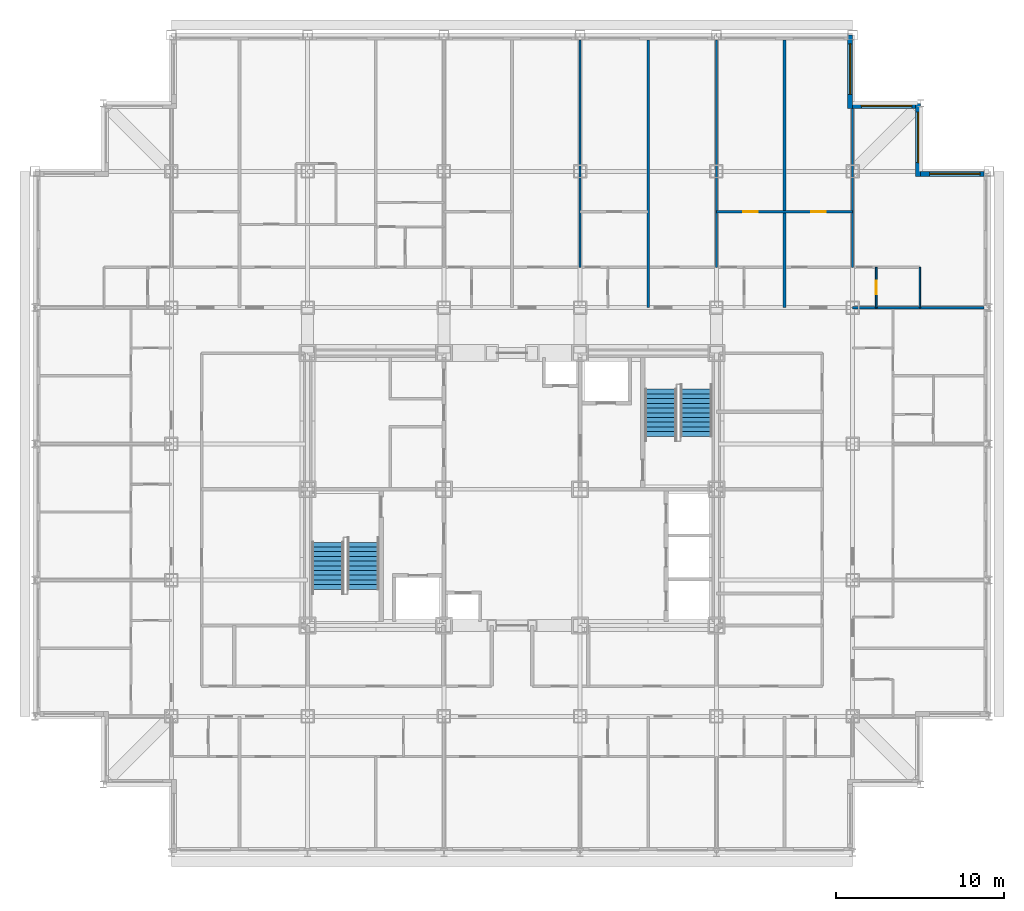
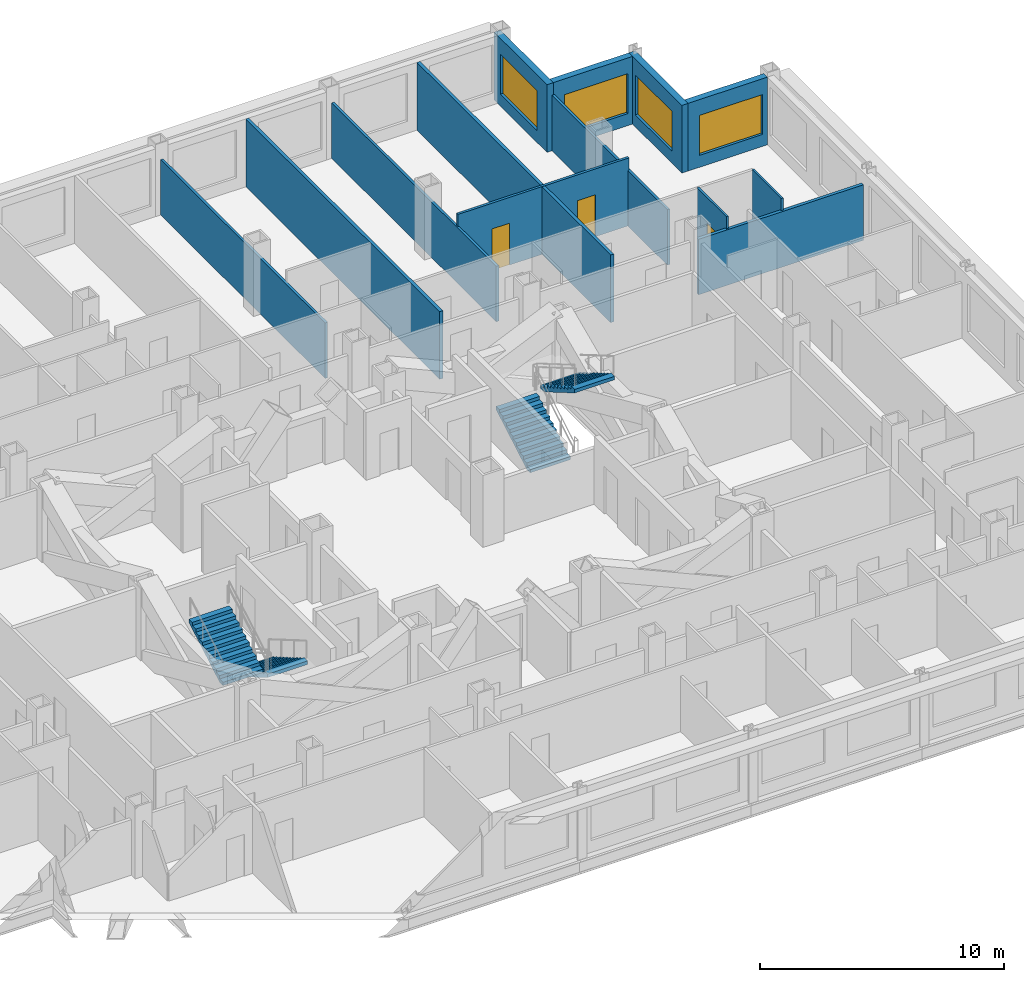
# One storey, part 11 of 12: 13 walls, 4 stair flights, 4 windows, 3 doors, 7 openings, 2 elements without a shape of their own.
"""IFC4 building model written with IfcOpenShell, lengths in metres."""

from ifc_helpers import new_model, si_unit, direction, frame, frame_2d, origin, place, context, subcontext, project, spatial, rectangle, extrude, polygons, source, transform, mapped, material, layer, layer_set, type_object, element, fill, aggregate, save


model = new_model("IFC4")

# Units and contexts
model_context = context("Model", 3, precision=1e-05, world=origin(), true_north=direction((0.0, 1.0)))
body_context = subcontext(model_context, "Body", "Model", "MODEL_VIEW")
ifc_project = project(units=[si_unit("LENGTHUNIT", "METRE"), si_unit("AREAUNIT", "SQUARE_METRE"), si_unit("VOLUMEUNIT", "CUBIC_METRE"), si_unit("PLANEANGLEUNIT", "RADIAN"), si_unit("MASSUNIT", "GRAM", prefix="KILO")], contexts=[model_context])

# Site, building, storey
site_placement = place(None, origin())
site = spatial("IfcSite", under=ifc_project, at=site_placement, CompositionType="ELEMENT")
building_placement = place(site_placement, origin())
building = spatial("IfcBuilding", under=site, at=building_placement, Name="Kopane Lantern Tower", CompositionType="ELEMENT")
storey_placement = place(building_placement, frame((0.0, 0.0, 192.0)))
storey = spatial("IfcBuildingStorey", under=building, at=storey_placement, Name="L49", CompositionType="ELEMENT", Elevation=192.0)

# Walls
ifc_material_1 = material(Name="Gypsum board on steel studs", Category="steel")
ifc_layer_1 = layer(ifc_material_1, 0.1201171875)
ifc_layer_set_1 = layer_set([ifc_layer_1], Name="APARTMENT INTERNAL WALL 120")
wall_type_1 = type_object("IfcWallType", Name="APARTMENT INTERNAL WALL 120", PredefinedType="PARTITIONING", material=ifc_layer_set_1)
for number, where, z_axis, x_axis, name in (
    (1, (32.39990234375, 45.60009765625, 0.0), (0.0, 0.0, 1.0), (0.0, 1.0, 0.0), "Apartment Internal Wall 120 L49"),
    (2, (40.5, 45.60009765625, 0.0), (0.0, 0.0, 1.0), (0.0, 1.0, 0.0), "Apartment Internal Wall 120 L49"),
):
    element("IfcWall", number, at=place(storey_placement, frame(where, z_axis=z_axis, x_axis=x_axis)), inside=storey, type_object=wall_type_1, Name=name, PredefinedType="PARTITIONING", context=body_context, shape_type="SweptSolid", body=[
        extrude(rectangle(XDim=13.5, YDim=0.1201171875, at=frame_2d((6.75, 0.0))), origin(), (0.0, 0.0, 1.0), 2.77783203125),
    ])
wall_1_placement = place(storey_placement, frame((48.60009765625, 45.60009765625, 0.0), z_axis=(0.0, 0.0, 1.0), x_axis=(0.0, 1.0, 0.0)))
element("IfcWall", 3, at=wall_1_placement, inside=storey, type_object=wall_type_1, Name="Apartment Internal Wall 120 L49", PredefinedType="PARTITIONING", context=body_context, shape_type="SweptSolid", body=[
    extrude(rectangle(XDim=9.449951171875, YDim=0.1201171875, at=frame_2d((4.72509765625, 0.0))), origin(), (0.0, 0.0, 1.0), 2.77783203125),
])

# Wall, openings, doors
wall_2_placement = place(storey_placement, frame((40.5, 48.89990234375, 0.0), z_axis=(0.0, 0.0, 1.0), x_axis=(1.0, 0.0, 0.0)))
wall_2 = element("IfcWall", 4, at=wall_2_placement, inside=storey, type_object=wall_type_1, Name="Apartment Internal Wall 120 L49", PredefinedType="PARTITIONING", context=body_context, shape_type="SweptSolid", body=[
    extrude(rectangle(XDim=8.10009765625, YDim=0.1201171875, at=frame_2d((4.050048828125, 0.0))), origin(), (0.0, 0.0, 1.0), 3.389892578125),
])
opening_1_placement = place(wall_2_placement, frame((1.60009765625, 0.0, 0.0)))
opening_1 = element("IfcOpeningElement", 5, at=opening_1_placement, cuts=wall_2, Name="Opening L49-082", PredefinedType="OPENING", context=body_context, shape_type="SweptSolid", body=[
    extrude(rectangle(XDim=0.85009765625, YDim=2.10009765625, at=frame_2d((0.425048828125, 1.050048828125))), frame((0.0, 0.070068359375, 0.0), z_axis=(0.0, -1.0, 0.0), x_axis=(1.0, 0.0, 0.0)), (0.0, 0.0, 1.0), 0.14013671875),
])
opening_2_placement = place(wall_2_placement, frame((5.64990234375, 0.0, 0.0)))
opening_2 = element("IfcOpeningElement", 6, at=opening_2_placement, cuts=wall_2, Name="Opening L49-083", PredefinedType="OPENING", context=body_context, shape_type="SweptSolid", body=[
    extrude(rectangle(XDim=0.85009765625, YDim=2.10009765625, at=frame_2d((0.425048828125, 1.050048828125))), frame((0.0, 0.070068359375, 0.0), z_axis=(0.0, -1.0, 0.0), x_axis=(1.0, 0.0, 0.0)), (0.0, 0.0, 1.0), 0.14013671875),
])
ifc_material_2 = material(Name="Timber door set", Category="wood")
door_type_1 = type_object("IfcDoorType", Name="DOOR D4 850x2100", OperationType="SINGLE_SWING_LEFT", PredefinedType="DOOR", material=ifc_material_2)
door_1_placement = place(opening_1_placement, origin())
door_1 = element("IfcDoor", 7, at=door_1_placement, inside=storey, type_object=door_type_1, Name="Door L49-082", OperationType="SINGLE_SWING_RIGHT", OverallHeight=2.10009765625, OverallWidth=0.85009765625, PredefinedType="DOOR", context=body_context, shape_type="SweptSolid", body=[
    extrude(rectangle(XDim=0.85009765625, YDim=2.10009765625, at=frame_2d((0.425048828125, 1.050048828125))), frame((0.0, 0.02490234375, 0.0), z_axis=(0.0, -1.0, 0.0), x_axis=(1.0, 0.0, 0.0)), (0.0, 0.0, 1.0), 0.050048828125),
])
fill(opening_1, door_1)
door_2_placement = place(opening_2_placement, origin())
door_2 = element("IfcDoor", 8, at=door_2_placement, inside=storey, type_object=door_type_1, Name="Door L49-083", OperationType="SINGLE_SWING_LEFT", OverallHeight=2.10009765625, OverallWidth=0.85009765625, PredefinedType="DOOR", context=body_context, shape_type="SweptSolid", body=[
    extrude(rectangle(XDim=0.85009765625, YDim=2.10009765625, at=frame_2d((0.425048828125, 1.050048828125))), frame((0.0, 0.02490234375, 0.0), z_axis=(0.0, -1.0, 0.0), x_axis=(1.0, 0.0, 0.0)), (0.0, 0.0, 1.0), 0.050048828125),
])
fill(opening_2, door_2)

# Wall, opening, door
ifc_material_3 = material(Name="Moisture-resistant board on steel studs", Category="steel")
ifc_layer_2 = layer(ifc_material_3, 0.10009765625)
ifc_layer_set_2 = layer_set([ifc_layer_2], Name="BATHROOM WALL 100")
wall_type_2 = type_object("IfcWallType", Name="BATHROOM WALL 100", PredefinedType="PARTITIONING", material=ifc_layer_set_2)
wall_3_placement = place(storey_placement, frame((50.0, 43.199951171875, 0.0), z_axis=(0.0, 0.0, 1.0), x_axis=(0.0, 1.0, 0.0)))
wall_3 = element("IfcWall", 9, at=wall_3_placement, inside=storey, type_object=wall_type_2, Name="Bathroom Wall 100 L49", PredefinedType="PARTITIONING", context=body_context, shape_type="SweptSolid", body=[
    extrude(rectangle(XDim=2.400146484375, YDim=0.10009765625, at=frame_2d((1.2001953125, 0.0))), origin(), (0.0, 0.0, 1.0), 3.389892578125),
])
opening_3_placement = place(wall_3_placement, frame((0.800048828125, 0.0, 0.0)))
opening_3 = element("IfcOpeningElement", 10, at=opening_3_placement, cuts=wall_3, Name="Opening L49-070", PredefinedType="OPENING", context=body_context, shape_type="SweptSolid", body=[
    extrude(rectangle(XDim=0.800048828125, YDim=2.10009765625, at=frame_2d((0.39990234375, 1.050048828125))), frame((0.0, 0.06005859375, 0.0), z_axis=(0.0, -1.0, 0.0), x_axis=(1.0, 0.0, 0.0)), (0.0, 0.0, 1.0), 0.1201171875),
])
ifc_material_4 = material(Name="Timber door set", Category="wood")
door_type_2 = type_object("IfcDoorType", Name="DOOR D2 800x2100", OperationType="SINGLE_SWING_LEFT", PredefinedType="DOOR", material=ifc_material_4)
door_3_placement = place(opening_3_placement, origin())
door_3 = element("IfcDoor", 11, at=door_3_placement, inside=storey, type_object=door_type_2, Name="Door L49-070", OperationType="SINGLE_SWING_RIGHT", OverallHeight=2.10009765625, OverallWidth=0.800048828125, PredefinedType="DOOR", context=body_context, shape_type="SweptSolid", body=[
    extrude(rectangle(XDim=0.800048828125, YDim=2.10009765625, at=frame_2d((0.39990234375, 1.050048828125))), frame((0.0, 0.02490234375, 0.0), z_axis=(0.0, -1.0, 0.0), x_axis=(1.0, 0.0, 0.0)), (0.0, 0.0, 1.0), 0.050048828125),
])
fill(opening_3, door_3)

# Walls
wall_4_placement = place(storey_placement, frame((52.60009765625, 43.199951171875, 0.0), z_axis=(0.0, 0.0, 1.0), x_axis=(0.0, 1.0, 0.0)))
element("IfcWall", 12, at=wall_4_placement, inside=storey, type_object=wall_type_2, Name="Bathroom Wall 100 L49", PredefinedType="PARTITIONING", context=body_context, shape_type="SweptSolid", body=[
    extrude(rectangle(XDim=2.400146484375, YDim=0.10009765625, at=frame_2d((1.2001953125, 0.0))), origin(), (0.0, 0.0, 1.0), 3.389892578125),
])
ifc_material_5 = material(Name="Gypsum board on steel studs", Category="steel")
ifc_layer_3 = layer(ifc_material_5, 0.14990234375)
ifc_layer_set_3 = layer_set([ifc_layer_3], Name="DEMISING WALL 150 EI 60")
wall_type_3 = type_object("IfcWallType", Name="DEMISING WALL 150 EI 60", PredefinedType="PARTITIONING", material=ifc_layer_set_3)
wall_5_placement = place(storey_placement, frame((36.449951171875, 43.199951171875, 0.0), z_axis=(0.0, 0.0, 1.0), x_axis=(0.0, 1.0, 0.0)))
element("IfcWall", 13, at=wall_5_placement, inside=storey, type_object=wall_type_3, Name="Demising Wall 150 Ei 60 L49", PredefinedType="PARTITIONING", context=body_context, shape_type="SweptSolid", body=[
    extrude(rectangle(XDim=15.900146484375, YDim=0.14990234375, at=frame_2d((7.9501953125, 0.0))), origin(), (0.0, 0.0, 1.0), 3.389892578125),
])
wall_6_placement = place(storey_placement, frame((48.60009765625, 43.199951171875, 0.0), z_axis=(0.0, 0.0, 1.0), x_axis=(1.0, 0.0, 0.0)))
element("IfcWall", 14, at=wall_6_placement, inside=storey, type_object=wall_type_3, Name="Demising Wall 150 Ei 60 L49", PredefinedType="PARTITIONING", context=body_context, shape_type="SweptSolid", body=[
    extrude(rectangle(XDim=7.7998046875, YDim=0.14990234375, at=frame_2d((3.89990234375, 0.0))), origin(), (0.0, 0.0, 1.0), 2.77783203125),
])
wall_7_placement = place(storey_placement, frame((44.550048828125, 43.199951171875, 0.0), z_axis=(0.0, 0.0, 1.0), x_axis=(0.0, 1.0, 0.0)))
element("IfcWall", 15, at=wall_7_placement, inside=storey, type_object=wall_type_3, Name="Demising Wall 150 Ei 60 L49", PredefinedType="PARTITIONING", context=body_context, shape_type="SweptSolid", body=[
    extrude(rectangle(XDim=15.900146484375, YDim=0.14990234375, at=frame_2d((7.9501953125, 0.0))), origin(), (0.0, 0.0, 1.0), 3.389892578125),
])

# Wall, opening, window
ifc_material_6 = material(Name="Terracotta rainscreen on light steel framing", Category="masonry")
ifc_layer_4 = layer(ifc_material_6, 0.300048828125)
ifc_layer_set_4 = layer_set([ifc_layer_4], Name="EXTERNAL WALL EW1 300 TERRACOTTA")
wall_type_4 = type_object("IfcWallType", Name="EXTERNAL WALL EW1 300 TERRACOTTA", PredefinedType="SOLIDWALL", material=ifc_layer_set_4)
wall_8_placement = place(storey_placement, frame((56.39990234375, 51.14990234375, 0.0), z_axis=(0.0, 0.0, 1.0), x_axis=(-1.0, 0.0, 0.0)))
wall_8 = element("IfcWall", 16, at=wall_8_placement, inside=storey, type_object=wall_type_4, Name="External wall N L49", PredefinedType="SOLIDWALL", context=body_context, shape_type="SweptSolid", body=[
    extrude(rectangle(XDim=3.75, YDim=0.300048828125, at=frame_2d((1.875, 0.0))), origin(), (0.0, 0.0, 1.0), 3.389892578125),
])
opening_4_placement = place(wall_8_placement, frame((0.22509765625, 0.0, 0.60009765625)))
opening_4 = element("IfcOpeningElement", 17, at=opening_4_placement, cuts=wall_8, Name="Opening WR300200", PredefinedType="OPENING", context=body_context, shape_type="SweptSolid", body=[
    extrude(rectangle(XDim=3.0, YDim=2.0, at=frame_2d((1.5, 1.0))), frame((0.0, 0.159912109375, 0.0), z_axis=(0.0, -1.0, 0.0), x_axis=(1.0, 0.0, 0.0)), (0.0, 0.0, 1.0), 0.320068359375),
])
ifc_material_7 = material(Name="Aluminium and clear glass", Category="aluminium")
window_type = type_object("IfcWindowType", Name="RIBBON WINDOW WR300200 3000x2000", PartitioningType="SINGLE_PANEL", PredefinedType="WINDOW", material=ifc_material_7)
window_1_placement = place(opening_4_placement, origin())
window_1 = element("IfcWindow", 18, at=window_1_placement, inside=storey, type_object=window_type, Name="Window N L49", OverallHeight=2.0, OverallWidth=3.0, PartitioningType="SINGLE_PANEL", PredefinedType="WINDOW", context=body_context, shape_type="SweptSolid", body=[
    extrude(rectangle(XDim=3.0, YDim=2.0, at=frame_2d((1.5, 1.0))), frame((0.0, 0.030029296875, 0.0), z_axis=(0.0, -1.0, 0.0), x_axis=(1.0, 0.0, 0.0)), (0.0, 0.0, 1.0), 0.06005859375),
])
fill(opening_4, window_1)

wall_9_placement = place(storey_placement, frame((52.5, 51.0, 0.0), z_axis=(0.0, 0.0, 1.0), x_axis=(0.0, 1.0, 0.0)))
wall_9 = element("IfcWall", 19, at=wall_9_placement, inside=storey, type_object=wall_type_4, Name="External wall E L49", PredefinedType="SOLIDWALL", context=body_context, shape_type="SweptSolid", body=[
    extrude(rectangle(XDim=4.35009765625, YDim=0.300048828125, at=frame_2d((2.175048828125, 0.0))), origin(), (0.0, 0.0, 1.0), 3.389892578125),
])
opening_5_placement = place(wall_9_placement, frame((0.824951171875, 0.0, 0.60009765625)))
opening_5 = element("IfcOpeningElement", 20, at=opening_5_placement, cuts=wall_9, Name="Opening WR300200", PredefinedType="OPENING", context=body_context, shape_type="SweptSolid", body=[
    extrude(rectangle(XDim=3.0, YDim=2.0, at=frame_2d((1.5, 1.0))), frame((0.0, 0.159912109375, 0.0), z_axis=(0.0, -1.0, 0.0), x_axis=(1.0, 0.0, 0.0)), (0.0, 0.0, 1.0), 0.320068359375),
])
window_2_placement = place(opening_5_placement, origin())
window_2 = element("IfcWindow", 21, at=window_2_placement, inside=storey, type_object=window_type, Name="Window E L49", OverallHeight=2.0, OverallWidth=3.0, PartitioningType="SINGLE_PANEL", PredefinedType="WINDOW", context=body_context, shape_type="SweptSolid", body=[
    extrude(rectangle(XDim=3.0, YDim=2.0, at=frame_2d((1.5, 1.0))), frame((0.0, 0.030029296875, 0.0), z_axis=(0.0, -1.0, 0.0), x_axis=(1.0, 0.0, 0.0)), (0.0, 0.0, 1.0), 0.06005859375),
])
fill(opening_5, window_2)

wall_10_placement = place(storey_placement, frame((52.35009765625, 55.199951171875, 0.0), z_axis=(0.0, 0.0, 1.0), x_axis=(-1.0, 0.0, 0.0)))
wall_10 = element("IfcWall", 22, at=wall_10_placement, inside=storey, type_object=wall_type_4, Name="External wall N L49", PredefinedType="SOLIDWALL", context=body_context, shape_type="SweptSolid", body=[
    extrude(rectangle(XDim=3.75, YDim=0.300048828125, at=frame_2d((1.875, 0.0))), origin(), (0.0, 0.0, 1.0), 3.389892578125),
])
opening_6_placement = place(wall_10_placement, frame((0.22509765625, 0.0, 0.60009765625)))
opening_6 = element("IfcOpeningElement", 23, at=opening_6_placement, cuts=wall_10, Name="Opening WR300200", PredefinedType="OPENING", context=body_context, shape_type="SweptSolid", body=[
    extrude(rectangle(XDim=3.0, YDim=2.0, at=frame_2d((1.5, 1.0))), frame((0.0, 0.159912109375, 0.0), z_axis=(0.0, -1.0, 0.0), x_axis=(1.0, 0.0, 0.0)), (0.0, 0.0, 1.0), 0.320068359375),
])
window_3_placement = place(opening_6_placement, origin())
window_3 = element("IfcWindow", 24, at=window_3_placement, inside=storey, type_object=window_type, Name="Window N L49", OverallHeight=2.0, OverallWidth=3.0, PartitioningType="SINGLE_PANEL", PredefinedType="WINDOW", context=body_context, shape_type="SweptSolid", body=[
    extrude(rectangle(XDim=3.0, YDim=2.0, at=frame_2d((1.5, 1.0))), frame((0.0, 0.030029296875, 0.0), z_axis=(0.0, -1.0, 0.0), x_axis=(1.0, 0.0, 0.0)), (0.0, 0.0, 1.0), 0.06005859375),
])
fill(opening_6, window_3)

wall_11_placement = place(storey_placement, frame((48.449951171875, 55.050048828125, 0.0), z_axis=(0.0, 0.0, 1.0), x_axis=(0.0, 1.0, 0.0)))
wall_11 = element("IfcWall", 25, at=wall_11_placement, inside=storey, type_object=wall_type_4, Name="External wall E L49", PredefinedType="SOLIDWALL", context=body_context, shape_type="SweptSolid", body=[
    extrude(rectangle(XDim=4.349853515625, YDim=0.300048828125, at=frame_2d((2.1748046875, 0.0))), origin(), (0.0, 0.0, 1.0), 3.389892578125),
])
opening_7_placement = place(wall_11_placement, frame((0.824951171875, 0.0, 0.60009765625)))
opening_7 = element("IfcOpeningElement", 26, at=opening_7_placement, cuts=wall_11, Name="Opening WR300200", PredefinedType="OPENING", context=body_context, shape_type="SweptSolid", body=[
    extrude(rectangle(XDim=3.0, YDim=2.0, at=frame_2d((1.5, 1.0))), frame((0.0, 0.159912109375, 0.0), z_axis=(0.0, -1.0, 0.0), x_axis=(1.0, 0.0, 0.0)), (0.0, 0.0, 1.0), 0.320068359375),
])
window_4_placement = place(opening_7_placement, origin())
window_4 = element("IfcWindow", 27, at=window_4_placement, inside=storey, type_object=window_type, Name="Window E L49", OverallHeight=2.0, OverallWidth=3.0, PartitioningType="SINGLE_PANEL", PredefinedType="WINDOW", context=body_context, shape_type="SweptSolid", body=[
    extrude(rectangle(XDim=3.0, YDim=2.0, at=frame_2d((1.5, 1.0))), frame((0.0, 0.030029296875, 0.0), z_axis=(0.0, -1.0, 0.0), x_axis=(1.0, 0.0, 0.0)), (0.0, 0.0, 1.0), 0.06005859375),
])
fill(opening_7, window_4)

# Stair, stair flights
ifc_material_8 = material(Name="Steel S355JR", Category="steel")
stair_type = type_object("IfcStairType", Name="EXIT STAIR 1900 HALF TURN", PredefinedType="HALF_TURN_STAIR", material=ifc_material_8)
stair_1_placement = place(storey_placement, origin())
stair_1 = element("IfcStair", 28, at=stair_1_placement, inside=storey, type_object=stair_type, Name="Exit stair ST1 L49", PredefinedType="HALF_TURN_STAIR")
ifc_material_9 = material(Name="Steel S355JR", Category="steel")
stair_flight_type = type_object("IfcStairFlightType", Name="STAIR FLIGHT 1900 STEEL", PredefinedType="STRAIGHT", material=ifc_material_9)
shared_shape = source(origin(), body_context, "Body", "Tessellation", [
    polygons([(2.800048828, 0.949951172, 1.636474609), (2.520019531, 0.949951172, 1.636474609), (2.520019531, -0.949951172, 1.636474609), (2.800048828, -0.949951172, 1.636474609), (0.297119141, 0.949951172, 0.0), (2.800048828, 0.949951172, 1.462646484), (2.800048828, -0.949951172, 1.462646484), (0.297119141, -0.949951172, 0.0), (0.0, 0.949951172, 0.0), (0.0, -0.949951172, 0.0), (0.280029297, 0.949951172, 0.163574219), (0.0, 0.949951172, 0.163574219), (0.0, -0.949951172, 0.163574219), (0.280029297, -0.949951172, 0.163574219), (0.280029297, 0.949951172, 0.327392578), (0.280029297, -0.949951172, 0.327392578), (0.560058594, 0.949951172, 0.327392578), (0.560058594, -0.949951172, 0.327392578), (0.560058594, 0.949951172, 0.490966797), (0.560058594, -0.949951172, 0.490966797), (0.840087891, 0.949951172, 0.490966797), (0.840087891, -0.949951172, 0.490966797), (0.840087891, 0.949951172, 0.654541016), (0.840087891, -0.949951172, 0.654541016), (1.120117188, 0.949951172, 0.654541016), (1.120117188, -0.949951172, 0.654541016), (1.120117188, 0.949951172, 0.818115234), (1.120117188, -0.949951172, 0.818115234), (1.399902344, 0.949951172, 0.818115234), (1.399902344, -0.949951172, 0.818115234), (1.399902344, 0.949951172, 0.981933594), (1.399902344, -0.949951172, 0.981933594), (1.679931641, 0.949951172, 0.981933594), (1.679931641, -0.949951172, 0.981933594), (1.679931641, 0.949951172, 1.145507812), (1.679931641, -0.949951172, 1.145507812), (1.959960938, 0.949951172, 1.145507812), (1.959960938, -0.949951172, 1.145507812), (1.959960938, 0.949951172, 1.309082031), (1.959960938, -0.949951172, 1.309082031), (2.239990234, 0.949951172, 1.309082031), (2.239990234, -0.949951172, 1.309082031), (2.239990234, 0.949951172, 1.47265625), (2.239990234, -0.949951172, 1.47265625), (2.520019531, 0.949951172, 1.47265625), (2.520019531, -0.949951172, 1.47265625), (0.0, 0.0, 0.004420925), (0.0, 0.0, 0.00884185), (0.0, 0.0, 0.013262774), (0.0, 0.0, 0.017683699), (0.0, 0.0, 0.022104624), (0.0, 0.0, 0.026525549), (0.0, 0.0, 0.030946474), (0.0, 0.0, 0.035367399), (0.0, 0.0, 0.039788323), (0.0, 0.0, 0.044209248), (0.0, 0.0, 0.048630173), (0.0, 0.0, 0.053051098), (0.0, 0.0, 0.057472023), (0.0, 0.0, 0.061892948), (0.0, 0.0, 0.066313872), (0.0, 0.0, 0.070734797), (0.0, 0.0, 0.075155722), (0.0, 0.0, 0.079576647), (0.0, 0.0, 0.083997572), (0.0, 0.0, 0.088418497), (0.0, 0.0, 0.092839421), (0.0, 0.0, 0.097260346), (0.0, 0.0, 0.101681271), (0.0, 0.0, 0.106102196), (0.0, 0.0, 0.110523121), (0.0, 0.0, 0.114944046), (0.0, 0.0, 0.11936497), (0.0, 0.0, 0.123785895), (0.0, 0.0, 0.12820682), (0.0, 0.0, 0.132627745), (0.0, 0.0, 0.13704867), (0.0, 0.0, 0.141469595), (0.0, 0.0, 0.145890519), (0.0, 0.0, 0.150311444), (0.0, 0.0, 0.154732369), (0.0, 0.0, 0.159153294), (2.800048828, 0.0, 1.467344542), (2.800048828, 0.0, 1.472042599), (2.800048828, 0.0, 1.476740657), (2.800048828, 0.0, 1.481438714), (2.800048828, 0.0, 1.486136772), (2.800048828, 0.0, 1.490834829), (2.800048828, 0.0, 1.495532886), (2.800048828, 0.0, 1.500230944), (2.800048828, 0.0, 1.504929001), (2.800048828, 0.0, 1.509627059), (2.800048828, 0.0, 1.514325116), (2.800048828, 0.0, 1.519023174), (2.800048828, 0.0, 1.523721231), (2.800048828, 0.0, 1.528419288), (2.800048828, 0.0, 1.533117346), (2.800048828, 0.0, 1.537815403), (2.800048828, 0.0, 1.542513461), (2.800048828, 0.0, 1.547211518), (2.800048828, 0.0, 1.551909576), (2.800048828, 0.0, 1.556607633), (2.800048828, 0.0, 1.56130569), (2.800048828, 0.0, 1.566003748), (2.800048828, 0.0, 1.570701805), (2.800048828, 0.0, 1.575399863), (2.800048828, 0.0, 1.58009792), (2.800048828, 0.0, 1.584795978), (2.800048828, 0.0, 1.589494035), (2.800048828, 0.0, 1.594192092), (2.800048828, 0.0, 1.59889015), (2.800048828, 0.0, 1.603588207), (2.800048828, 0.0, 1.608286265), (2.800048828, 0.0, 1.612984322), (2.800048828, 0.0, 1.61768238), (2.800048828, 0.0, 1.622380437), (2.800048828, 0.0, 1.627078495), (2.800048828, 0.0, 1.631776552)], [[[1, 2, 3]], [[1, 3, 4]], [[5, 6, 7]], [[5, 7, 8]], [[9, 5, 8]], [[9, 8, 10]], [[11, 12, 13]], [[11, 13, 14]], [[15, 11, 14]], [[15, 14, 16]], [[17, 15, 16]], [[17, 16, 18]], [[19, 17, 18]], [[19, 18, 20]], [[21, 19, 20]], [[21, 20, 22]], [[23, 21, 22]], [[23, 22, 24]], [[25, 23, 24]], [[25, 24, 26]], [[27, 25, 26]], [[27, 26, 28]], [[29, 27, 28]], [[29, 28, 30]], [[31, 29, 30]], [[31, 30, 32]], [[33, 31, 32]], [[33, 32, 34]], [[35, 33, 34]], [[35, 34, 36]], [[37, 35, 36]], [[37, 36, 38]], [[39, 37, 38]], [[39, 38, 40]], [[41, 39, 40]], [[41, 40, 42]], [[43, 41, 42]], [[43, 42, 44]], [[45, 43, 44]], [[45, 44, 46]], [[2, 45, 46]], [[2, 46, 3]], [[45, 1, 6]], [[41, 45, 6]], [[2, 1, 45]], [[37, 41, 6]], [[43, 45, 41]], [[39, 41, 37]], [[35, 37, 33]], [[31, 33, 29]], [[27, 29, 25]], [[5, 21, 25]], [[17, 21, 5]], [[23, 25, 21]], [[11, 17, 5]], [[19, 21, 17]], [[9, 11, 5]], [[15, 17, 11]], [[12, 11, 9]], [[6, 5, 25]], [[6, 25, 29]], [[6, 29, 33]], [[6, 33, 37]], [[7, 4, 46]], [[7, 46, 42]], [[46, 4, 3]], [[7, 42, 38]], [[42, 46, 44]], [[38, 42, 40]], [[34, 38, 36]], [[30, 34, 32]], [[26, 30, 28]], [[26, 22, 8]], [[8, 22, 18]], [[22, 26, 24]], [[8, 18, 14]], [[18, 22, 20]], [[8, 14, 10]], [[14, 18, 16]], [[10, 14, 13]], [[26, 8, 7]], [[30, 26, 7]], [[34, 30, 7]], [[38, 34, 7]], [[10, 47, 9]], [[10, 48, 47]], [[9, 47, 48]], [[10, 49, 48]], [[9, 48, 49]], [[10, 50, 49]], [[9, 49, 50]], [[10, 51, 50]], [[9, 50, 51]], [[10, 52, 51]], [[9, 51, 52]], [[10, 53, 52]], [[9, 52, 53]], [[10, 54, 53]], [[9, 53, 54]], [[10, 55, 54]], [[9, 54, 55]], [[10, 56, 55]], [[9, 55, 56]], [[10, 57, 56]], [[9, 56, 57]], [[10, 58, 57]], [[9, 57, 58]], [[10, 59, 58]], [[9, 58, 59]], [[10, 60, 59]], [[9, 59, 60]], [[10, 61, 60]], [[9, 60, 61]], [[10, 62, 61]], [[9, 61, 62]], [[10, 63, 62]], [[9, 62, 63]], [[10, 64, 63]], [[9, 63, 64]], [[10, 65, 64]], [[9, 64, 65]], [[10, 66, 65]], [[9, 65, 66]], [[10, 67, 66]], [[9, 66, 67]], [[10, 68, 67]], [[9, 67, 68]], [[10, 69, 68]], [[9, 68, 69]], [[10, 70, 69]], [[9, 69, 70]], [[10, 71, 70]], [[9, 70, 71]], [[10, 72, 71]], [[9, 71, 72]], [[10, 73, 72]], [[9, 72, 73]], [[10, 74, 73]], [[9, 73, 74]], [[10, 75, 74]], [[9, 74, 75]], [[10, 76, 75]], [[9, 75, 76]], [[10, 77, 76]], [[9, 76, 77]], [[10, 78, 77]], [[9, 77, 78]], [[10, 79, 78]], [[9, 78, 79]], [[10, 80, 79]], [[9, 79, 80]], [[10, 81, 80]], [[9, 80, 81]], [[10, 82, 81]], [[9, 81, 82]], [[10, 13, 82]], [[82, 13, 12]], [[9, 82, 12]], [[7, 6, 83]], [[7, 83, 84]], [[6, 84, 83]], [[7, 84, 85]], [[6, 85, 84]], [[7, 85, 86]], [[6, 86, 85]], [[7, 86, 87]], [[6, 87, 86]], [[7, 87, 88]], [[6, 88, 87]], [[7, 88, 89]], [[6, 89, 88]], [[7, 89, 90]], [[6, 90, 89]], [[7, 90, 91]], [[6, 91, 90]], [[7, 91, 92]], [[6, 92, 91]], [[7, 92, 93]], [[6, 93, 92]], [[7, 93, 94]], [[6, 94, 93]], [[7, 94, 95]], [[6, 95, 94]], [[7, 95, 96]], [[6, 96, 95]], [[7, 96, 97]], [[6, 97, 96]], [[7, 97, 98]], [[6, 98, 97]], [[7, 98, 99]], [[6, 99, 98]], [[7, 99, 100]], [[6, 100, 99]], [[7, 100, 101]], [[6, 101, 100]], [[7, 101, 102]], [[6, 102, 101]], [[7, 102, 103]], [[6, 103, 102]], [[7, 103, 104]], [[6, 104, 103]], [[7, 104, 105]], [[6, 105, 104]], [[7, 105, 106]], [[6, 106, 105]], [[7, 106, 107]], [[6, 107, 106]], [[7, 107, 108]], [[6, 108, 107]], [[7, 108, 109]], [[6, 109, 108]], [[7, 109, 110]], [[6, 110, 109]], [[7, 110, 111]], [[6, 111, 110]], [[7, 111, 112]], [[6, 112, 111]], [[7, 112, 113]], [[6, 113, 112]], [[7, 113, 114]], [[6, 114, 113]], [[7, 114, 115]], [[6, 115, 114]], [[7, 115, 116]], [[6, 116, 115]], [[7, 116, 117]], [[6, 117, 116]], [[7, 117, 118]], [[6, 118, 117]], [[7, 118, 4]], [[118, 1, 4]], [[6, 1, 118]]], closed=True),
])
stair_flight_1_placement = place(storey_placement, frame((19.5, 29.25, 0.0), z_axis=(0.0, 0.0, 1.0), x_axis=(0.0, -1.0, 0.0)))
stair_flight_1 = element("IfcStairFlight", 29, at=stair_flight_1_placement, type_object=stair_flight_type, Name="ST1 flight 1", NumberOfRisers=11, NumberOfTreads=10, PredefinedType="STRAIGHT", RiserHeight=0.163636364, TreadLength=0.28, context=body_context, shape_type="MappedRepresentation", body=[
    mapped(shared_shape, transform((0.0, 0.0, 0.0))),
])
stair_flight_2_placement = place(storey_placement, frame((17.39990234375, 26.449951171875, 1.800048828125), z_axis=(0.0, 0.0, 1.0), x_axis=(0.0, 1.0, 0.0)))
stair_flight_2 = element("IfcStairFlight", 30, at=stair_flight_2_placement, type_object=stair_flight_type, Name="ST1 flight 2", NumberOfRisers=11, NumberOfTreads=10, PredefinedType="STRAIGHT", RiserHeight=0.163636364, TreadLength=0.28, context=body_context, shape_type="MappedRepresentation", body=[
    mapped(shared_shape, transform((0.0, 0.0, 0.0))),
])
aggregate(stair_1, [stair_flight_1, stair_flight_2])

stair_2_placement = place(storey_placement, origin())
stair_2 = element("IfcStair", 31, at=stair_2_placement, inside=storey, type_object=stair_type, Name="Exit stair ST2 L49", PredefinedType="HALF_TURN_STAIR")
stair_flight_3_placement = place(storey_placement, frame((37.199951171875, 35.550048828125, 0.0), z_axis=(0.0, 0.0, 1.0), x_axis=(0.0, 1.0, 0.0)))
stair_flight_3 = element("IfcStairFlight", 32, at=stair_flight_3_placement, type_object=stair_flight_type, Name="ST2 flight 1", NumberOfRisers=11, NumberOfTreads=10, PredefinedType="STRAIGHT", RiserHeight=0.163636364, TreadLength=0.28, context=body_context, shape_type="MappedRepresentation", body=[
    mapped(shared_shape, transform((0.0, 0.0, 0.0))),
])
stair_flight_4_placement = place(storey_placement, frame((39.300048828125, 38.35009765625, 1.800048828125), z_axis=(0.0, 0.0, 1.0), x_axis=(0.0, -1.0, 0.0)))
stair_flight_4 = element("IfcStairFlight", 33, at=stair_flight_4_placement, type_object=stair_flight_type, Name="ST2 flight 2", NumberOfRisers=11, NumberOfTreads=10, PredefinedType="STRAIGHT", RiserHeight=0.163636364, TreadLength=0.28, context=body_context, shape_type="MappedRepresentation", body=[
    mapped(shared_shape, transform((0.0, 0.0, 0.0))),
])
aggregate(stair_2, [stair_flight_3, stair_flight_4])

save(model, "model.ifc")
